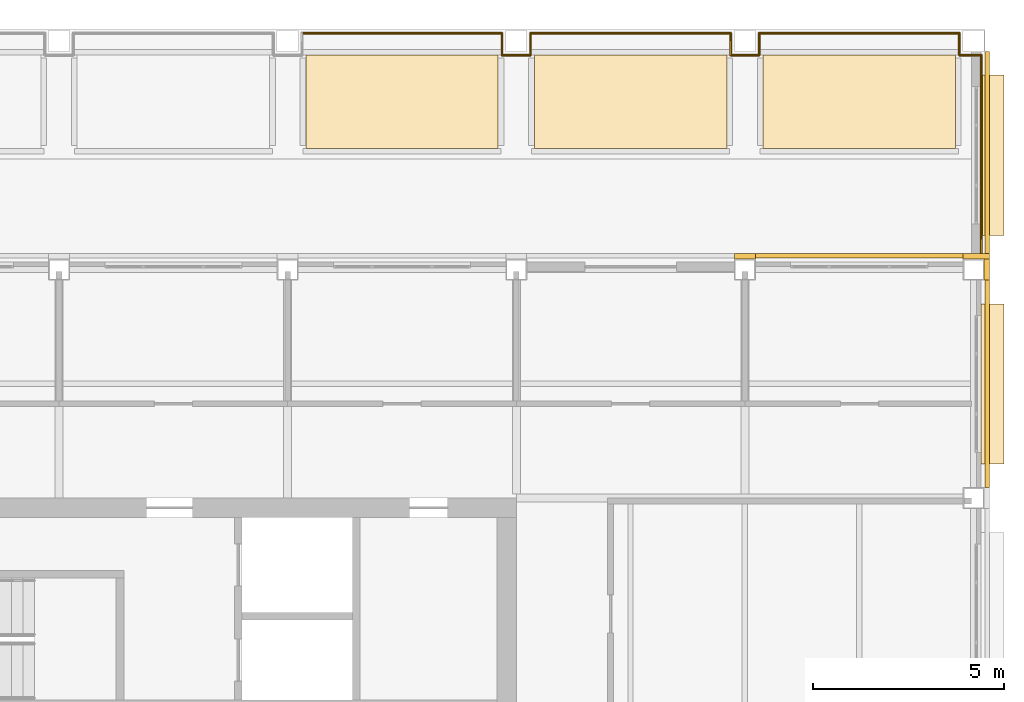
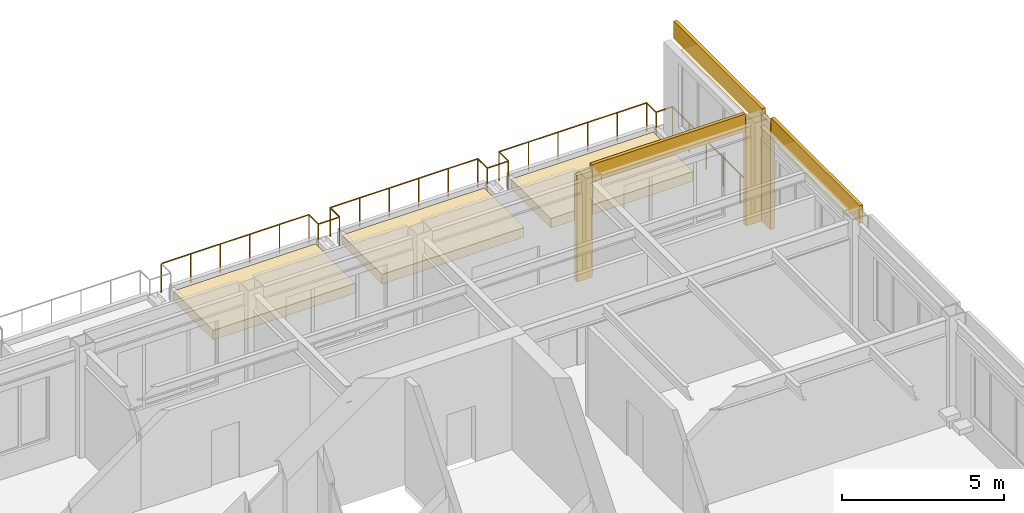
# One storey, part 37 of 39: 12 railings, 11 coverings.
"""IFC4 building model written with IfcOpenShell, lengths in metres."""

from ifc_helpers import new_model, si_unit, direction, frame, origin, origin_2d, place, context, subcontext, project, spatial, polyline, circle, outline, extrude, material, layer, layer_set, type_object, element, save


model = new_model("IFC4")

# Units and contexts
model_context = context("Model", 3, precision=1e-05, world=origin(), true_north=direction((0.0, 1.0)))
body_context = subcontext(model_context, "Body", "Model", "MODEL_VIEW")
ifc_project = project(units=[si_unit("LENGTHUNIT", "METRE"), si_unit("AREAUNIT", "SQUARE_METRE"), si_unit("VOLUMEUNIT", "CUBIC_METRE"), si_unit("PLANEANGLEUNIT", "RADIAN"), si_unit("MASSUNIT", "GRAM", prefix="KILO")], contexts=[model_context])

# Site, building, storey
site_placement = place(None, origin())
site = spatial("IfcSite", under=ifc_project, at=site_placement, CompositionType="ELEMENT")
building_placement = place(site_placement, origin())
building = spatial("IfcBuilding", under=site, at=building_placement, Name="Aravalli Gate Trade Fair Centre", CompositionType="ELEMENT")
storey_placement = place(building_placement, frame((0.0, 0.0, 15.0)))
storey = spatial("IfcBuildingStorey", under=building, at=storey_placement, Name="L03", CompositionType="ELEMENT", Elevation=15.0)

# Coverings
ifc_material_1 = material(Name="Terracotta", Category="masonry")
ifc_layer_1 = layer(ifc_material_1, 0.10009765625)
ifc_layer_set_1 = layer_set([ifc_layer_1], Name="Terracotta")
covering_type_1 = type_object("IfcCoveringType", Name="Wing chhajja hood 100", PredefinedType="MOLDING", material=ifc_layer_set_1)
covering_1_placement = place(storey_placement, frame((0.0, 0.0, 3.449951171875)))
element("IfcCovering", 1, at=covering_1_placement, inside=storey, type_object=covering_type_1, Name="Chhajja hood E5 L03", PredefinedType="MOLDING", context=body_context, shape_type="SweptSolid", body=[
    extrude(outline(polyline([(202.199951171875, 121.89990234375), (202.800048828125, 121.89990234375), (202.800048828125, 126.10009765625), (202.199951171875, 126.10009765625), (202.199951171875, 121.89990234375)])), origin(), (0.0, 0.0, 1.0), 0.10009765625),
])
covering_2_placement = place(storey_placement, frame((0.0, 0.0, 3.449951171875)))
element("IfcCovering", 2, at=covering_2_placement, inside=storey, type_object=covering_type_1, Name="Chhajja hood E6 L03", PredefinedType="MOLDING", context=body_context, shape_type="SweptSolid", body=[
    extrude(outline(polyline([(202.199951171875, 127.89990234375), (202.800048828125, 127.89990234375), (202.800048828125, 132.10009765625), (202.199951171875, 132.10009765625), (202.199951171875, 127.89990234375)])), origin(), (0.0, 0.0, 1.0), 0.10009765625),
])
ifc_material_2 = material(Name="Bituminous waterproofing membrane")
ifc_layer_2 = layer(ifc_material_2, 0.010009765625, Name="Waterproofing membrane")
ifc_material_3 = material(Name="Polyethylene drainage board")
ifc_layer_3 = layer(ifc_material_3, 0.050048828125, Name="Drainage layer")
ifc_material_4 = material(Name="Geotextile fleece")
ifc_layer_4 = layer(ifc_material_4, 0.0048828125, Name="Filter layer")
ifc_material_5 = material(Name="Growing medium")
ifc_layer_5 = layer(ifc_material_5, 0.300048828125, Name="Growing medium")
ifc_layer_set_2 = layer_set([ifc_layer_2, ifc_layer_3, ifc_layer_4, ifc_layer_5], Name="Wing green roof build-up 365")
covering_type_2 = type_object("IfcCoveringType", Name="Wing green roof build-up 365", PredefinedType="ROOFING", material=ifc_layer_set_2)
covering_3_placement = place(storey_placement, origin())
element("IfcCovering", 3, at=covering_3_placement, inside=storey, type_object=covering_type_2, Name="Terrace bed L03 5", PredefinedType="ROOFING", context=body_context, shape_type="SweptSolid", body=[
    extrude(outline(polyline([(184.47509765625, 130.179931640625), (189.52490234375, 130.179931640625), (189.52490234375, 132.6298828125), (184.47509765625, 132.6298828125), (184.47509765625, 130.179931640625)])), origin(), (0.0, 0.0, 1.0), 0.364990234375),
])
covering_4_placement = place(storey_placement, origin())
element("IfcCovering", 4, at=covering_4_placement, inside=storey, type_object=covering_type_2, Name="Terrace bed L03 6", PredefinedType="ROOFING", context=body_context, shape_type="SweptSolid", body=[
    extrude(outline(polyline([(190.47509765625, 130.179931640625), (195.52490234375, 130.179931640625), (195.52490234375, 132.6298828125), (190.47509765625, 132.6298828125), (190.47509765625, 130.179931640625)])), origin(), (0.0, 0.0, 1.0), 0.364990234375),
])
covering_5_placement = place(storey_placement, origin())
element("IfcCovering", 5, at=covering_5_placement, inside=storey, type_object=covering_type_2, Name="Terrace bed L03 7", PredefinedType="ROOFING", context=body_context, shape_type="SweptSolid", body=[
    extrude(outline(polyline([(196.47509765625, 130.179931640625), (201.52490234375, 130.179931640625), (201.52490234375, 132.6298828125), (196.47509765625, 132.6298828125), (196.47509765625, 130.179931640625)])), origin(), (0.0, 0.0, 1.0), 0.364990234375),
])
ifc_material_6 = material(Name="Glazed terracotta", Category="masonry")
ifc_layer_6 = layer(ifc_material_6, 0.14990234375)
ifc_layer_set_3 = layer_set([ifc_layer_6], Name="Glazed terracotta")
covering_type_3 = type_object("IfcCoveringType", Name="Wing pier casing 150", PredefinedType="CLADDING", material=ifc_layer_set_3)
covering_6_placement = place(storey_placement, origin())
element("IfcCovering", 6, at=covering_6_placement, inside=storey, type_object=covering_type_3, Name="Pier casing 25T4 N L03", PredefinedType="CLADDING", context=body_context, shape_type="SweptSolid", body=[
    extrude(outline(polyline([(201.72509765625, 127.27490234375), (202.425048828125, 127.27490234375), (202.425048828125, 127.425048828125), (201.72509765625, 127.425048828125), (201.72509765625, 127.27490234375)])), origin(), (0.0, 0.0, 1.0), 4.0),
])
covering_7_placement = place(storey_placement, origin())
element("IfcCovering", 7, at=covering_7_placement, inside=storey, type_object=covering_type_3, Name="Pier casing 25T4 E L03", PredefinedType="CLADDING", context=body_context, shape_type="SweptSolid", body=[
    extrude(outline(polyline([(202.27490234375, 126.72509765625), (202.425048828125, 126.72509765625), (202.425048828125, 127.27490234375), (202.27490234375, 127.27490234375), (202.27490234375, 126.72509765625)])), origin(), (0.0, 0.0, 1.0), 4.0),
])
covering_8_placement = place(storey_placement, origin())
element("IfcCovering", 8, at=covering_8_placement, inside=storey, type_object=covering_type_3, Name="Pier casing 24T4 N L03", PredefinedType="CLADDING", context=body_context, shape_type="SweptSolid", body=[
    extrude(outline(polyline([(195.72509765625, 127.27490234375), (196.27490234375, 127.27490234375), (196.27490234375, 127.425048828125), (195.72509765625, 127.425048828125), (195.72509765625, 127.27490234375)])), origin(), (0.0, 0.0, 1.0), 4.0),
])
ifc_layer_7 = layer(ifc_material_6, 0.1201171875)
ifc_layer_set_4 = layer_set([ifc_layer_7], Name="Glazed terracotta")
covering_type_4 = type_object("IfcCoveringType", Name="Wing spandrel band 120", PredefinedType="CLADDING", material=ifc_layer_set_4)
covering_9_placement = place(storey_placement, frame((0.0, 0.0, 3.550048828125)))
element("IfcCovering", 9, at=covering_9_placement, inside=storey, type_object=covering_type_4, Name="Spandrel band N6 L03", PredefinedType="CLADDING", context=body_context, shape_type="SweptSolid", body=[
    extrude(outline(polyline([(196.27490234375, 127.304931640625), (201.72509765625, 127.304931640625), (201.72509765625, 127.425048828125), (196.27490234375, 127.425048828125), (196.27490234375, 127.304931640625)])), origin(), (0.0, 0.0, 1.0), 0.64990234375),
])
covering_10_placement = place(storey_placement, frame((0.0, 0.0, 3.550048828125)))
element("IfcCovering", 10, at=covering_10_placement, inside=storey, type_object=covering_type_4, Name="Spandrel band E5 L03", PredefinedType="CLADDING", context=body_context, shape_type="SweptSolid", body=[
    extrude(outline(polyline([(202.304931640625, 121.27490234375), (202.425048828125, 121.27490234375), (202.425048828125, 126.72509765625), (202.304931640625, 126.72509765625), (202.304931640625, 121.27490234375)])), origin(), (0.0, 0.0, 1.0), 0.64990234375),
])
covering_11_placement = place(storey_placement, frame((0.0, 0.0, 3.550048828125)))
element("IfcCovering", 11, at=covering_11_placement, inside=storey, type_object=covering_type_4, Name="Spandrel band E6 L03", PredefinedType="CLADDING", context=body_context, shape_type="SweptSolid", body=[
    extrude(outline(polyline([(202.304931640625, 127.27490234375), (202.425048828125, 127.27490234375), (202.425048828125, 132.72509765625), (202.304931640625, 132.72509765625), (202.304931640625, 127.27490234375)])), origin(), (0.0, 0.0, 1.0), 0.64990234375),
])

# Railings
ifc_material_7 = material(Name="Steel E350", Category="steel")
railing_type = type_object("IfcRailingType", Name="Wing terrace guard", PredefinedType="GUARDRAIL", material=ifc_material_7)
railing_1_placement = place(storey_placement, frame((184.375, 133.205078125, 0.0)))
element("IfcRailing", 12, at=railing_1_placement, inside=storey, type_object=railing_type, Name="Terrace guard L03 18", PredefinedType="GUARDRAIL", context=body_context, shape_type="SweptSolid", body=[
    extrude(circle(Radius=0.02392578125, at=origin_2d()), frame((0.0, 0.0, 1.076171875), z_axis=(1.0, 0.0, 0.0), x_axis=(0.0, 1.0, 0.0)), (0.0, 0.0, 1.0), 5.25),
    extrude(circle(Radius=0.02099609375, at=origin_2d()), origin(), (0.0, 0.0, 1.0), 1.052001953125),
    extrude(circle(Radius=0.02099609375, at=origin_2d()), frame((1.050048828125, 0.0, 0.0)), (0.0, 0.0, 1.0), 1.052001953125),
    extrude(circle(Radius=0.02099609375, at=origin_2d()), frame((2.10009765625, 0.0, 0.0)), (0.0, 0.0, 1.0), 1.052001953125),
    extrude(circle(Radius=0.02099609375, at=origin_2d()), frame((3.14990234375, 0.0, 0.0)), (0.0, 0.0, 1.0), 1.052001953125),
    extrude(circle(Radius=0.02099609375, at=origin_2d()), frame((4.199951171875, 0.0, 0.0)), (0.0, 0.0, 1.0), 1.052001953125),
    extrude(circle(Radius=0.02099609375, at=origin_2d()), frame((5.25, 0.0, 0.0)), (0.0, 0.0, 1.0), 1.052001953125),
])
railing_2_placement = place(storey_placement, frame((189.625, 133.205078125, 0.0)))
element("IfcRailing", 13, at=railing_2_placement, inside=storey, type_object=railing_type, Name="Terrace guard L03 19", PredefinedType="GUARDRAIL", context=body_context, shape_type="SweptSolid", body=[
    extrude(circle(Radius=0.02392578125, at=origin_2d()), frame((0.0, 0.0, 1.076171875), z_axis=(0.0, -1.0, 0.0), x_axis=(1.0, 0.0, 0.0)), (0.0, 0.0, 1.0), 0.580078125),
    extrude(circle(Radius=0.02099609375, at=origin_2d()), origin(), (0.0, 0.0, 1.0), 1.052001953125),
    extrude(circle(Radius=0.02099609375, at=origin_2d()), frame((0.0, -0.580078125, 0.0)), (0.0, 0.0, 1.0), 1.052001953125),
])
railing_3_placement = place(storey_placement, frame((189.625, 132.625, 0.0)))
element("IfcRailing", 14, at=railing_3_placement, inside=storey, type_object=railing_type, Name="Terrace guard L03 20", PredefinedType="GUARDRAIL", context=body_context, shape_type="SweptSolid", body=[
    extrude(circle(Radius=0.02392578125, at=origin_2d()), frame((0.0, 0.0, 1.076171875), z_axis=(1.0, 0.0, 0.0), x_axis=(0.0, 1.0, 0.0)), (0.0, 0.0, 1.0), 0.75),
    extrude(circle(Radius=0.02099609375, at=origin_2d()), origin(), (0.0, 0.0, 1.0), 1.052001953125),
    extrude(circle(Radius=0.02099609375, at=origin_2d()), frame((0.75, 0.0, 0.0)), (0.0, 0.0, 1.0), 1.052001953125),
])
railing_4_placement = place(storey_placement, frame((190.375, 132.625, 0.0)))
element("IfcRailing", 15, at=railing_4_placement, inside=storey, type_object=railing_type, Name="Terrace guard L03 21", PredefinedType="GUARDRAIL", context=body_context, shape_type="SweptSolid", body=[
    extrude(circle(Radius=0.02392578125, at=origin_2d()), frame((0.0, 0.0, 1.076171875), z_axis=(0.0, 1.0, 0.0), x_axis=(-1.0, 0.0, 0.0)), (0.0, 0.0, 1.0), 0.580078125),
    extrude(circle(Radius=0.02099609375, at=origin_2d()), origin(), (0.0, 0.0, 1.0), 1.052001953125),
    extrude(circle(Radius=0.02099609375, at=origin_2d()), frame((0.0, 0.580078125, 0.0)), (0.0, 0.0, 1.0), 1.052001953125),
])
railing_5_placement = place(storey_placement, frame((190.375, 133.205078125, 0.0)))
element("IfcRailing", 16, at=railing_5_placement, inside=storey, type_object=railing_type, Name="Terrace guard L03 22", PredefinedType="GUARDRAIL", context=body_context, shape_type="SweptSolid", body=[
    extrude(circle(Radius=0.02392578125, at=origin_2d()), frame((0.0, 0.0, 1.076171875), z_axis=(1.0, 0.0, 0.0), x_axis=(0.0, 1.0, 0.0)), (0.0, 0.0, 1.0), 5.25),
    extrude(circle(Radius=0.02099609375, at=origin_2d()), origin(), (0.0, 0.0, 1.0), 1.052001953125),
    extrude(circle(Radius=0.02099609375, at=origin_2d()), frame((1.050048828125, 0.0, 0.0)), (0.0, 0.0, 1.0), 1.052001953125),
    extrude(circle(Radius=0.02099609375, at=origin_2d()), frame((2.10009765625, 0.0, 0.0)), (0.0, 0.0, 1.0), 1.052001953125),
    extrude(circle(Radius=0.02099609375, at=origin_2d()), frame((3.14990234375, 0.0, 0.0)), (0.0, 0.0, 1.0), 1.052001953125),
    extrude(circle(Radius=0.02099609375, at=origin_2d()), frame((4.199951171875, 0.0, 0.0)), (0.0, 0.0, 1.0), 1.052001953125),
    extrude(circle(Radius=0.02099609375, at=origin_2d()), frame((5.25, 0.0, 0.0)), (0.0, 0.0, 1.0), 1.052001953125),
])
railing_6_placement = place(storey_placement, frame((195.625, 133.205078125, 0.0)))
element("IfcRailing", 17, at=railing_6_placement, inside=storey, type_object=railing_type, Name="Terrace guard L03 23", PredefinedType="GUARDRAIL", context=body_context, shape_type="SweptSolid", body=[
    extrude(circle(Radius=0.02392578125, at=origin_2d()), frame((0.0, 0.0, 1.076171875), z_axis=(0.0, -1.0, 0.0), x_axis=(1.0, 0.0, 0.0)), (0.0, 0.0, 1.0), 0.580078125),
    extrude(circle(Radius=0.02099609375, at=origin_2d()), origin(), (0.0, 0.0, 1.0), 1.052001953125),
    extrude(circle(Radius=0.02099609375, at=origin_2d()), frame((0.0, -0.580078125, 0.0)), (0.0, 0.0, 1.0), 1.052001953125),
])
railing_7_placement = place(storey_placement, frame((195.625, 132.625, 0.0)))
element("IfcRailing", 18, at=railing_7_placement, inside=storey, type_object=railing_type, Name="Terrace guard L03 24", PredefinedType="GUARDRAIL", context=body_context, shape_type="SweptSolid", body=[
    extrude(circle(Radius=0.02392578125, at=origin_2d()), frame((0.0, 0.0, 1.076171875), z_axis=(1.0, 0.0, 0.0), x_axis=(0.0, 1.0, 0.0)), (0.0, 0.0, 1.0), 0.75),
    extrude(circle(Radius=0.02099609375, at=origin_2d()), origin(), (0.0, 0.0, 1.0), 1.052001953125),
    extrude(circle(Radius=0.02099609375, at=origin_2d()), frame((0.75, 0.0, 0.0)), (0.0, 0.0, 1.0), 1.052001953125),
])
railing_8_placement = place(storey_placement, frame((196.375, 132.625, 0.0)))
element("IfcRailing", 19, at=railing_8_placement, inside=storey, type_object=railing_type, Name="Terrace guard L03 25", PredefinedType="GUARDRAIL", context=body_context, shape_type="SweptSolid", body=[
    extrude(circle(Radius=0.02392578125, at=origin_2d()), frame((0.0, 0.0, 1.076171875), z_axis=(0.0, 1.0, 0.0), x_axis=(-1.0, 0.0, 0.0)), (0.0, 0.0, 1.0), 0.580078125),
    extrude(circle(Radius=0.02099609375, at=origin_2d()), origin(), (0.0, 0.0, 1.0), 1.052001953125),
    extrude(circle(Radius=0.02099609375, at=origin_2d()), frame((0.0, 0.580078125, 0.0)), (0.0, 0.0, 1.0), 1.052001953125),
])
railing_9_placement = place(storey_placement, frame((196.375, 133.205078125, 0.0)))
element("IfcRailing", 20, at=railing_9_placement, inside=storey, type_object=railing_type, Name="Terrace guard L03 26", PredefinedType="GUARDRAIL", context=body_context, shape_type="SweptSolid", body=[
    extrude(circle(Radius=0.02392578125, at=origin_2d()), frame((0.0, 0.0, 1.076171875), z_axis=(1.0, 0.0, 0.0), x_axis=(0.0, 1.0, 0.0)), (0.0, 0.0, 1.0), 5.25),
    extrude(circle(Radius=0.02099609375, at=origin_2d()), origin(), (0.0, 0.0, 1.0), 1.052001953125),
    extrude(circle(Radius=0.02099609375, at=origin_2d()), frame((1.050048828125, 0.0, 0.0)), (0.0, 0.0, 1.0), 1.052001953125),
    extrude(circle(Radius=0.02099609375, at=origin_2d()), frame((2.10009765625, 0.0, 0.0)), (0.0, 0.0, 1.0), 1.052001953125),
    extrude(circle(Radius=0.02099609375, at=origin_2d()), frame((3.14990234375, 0.0, 0.0)), (0.0, 0.0, 1.0), 1.052001953125),
    extrude(circle(Radius=0.02099609375, at=origin_2d()), frame((4.199951171875, 0.0, 0.0)), (0.0, 0.0, 1.0), 1.052001953125),
    extrude(circle(Radius=0.02099609375, at=origin_2d()), frame((5.25, 0.0, 0.0)), (0.0, 0.0, 1.0), 1.052001953125),
])
railing_10_placement = place(storey_placement, frame((201.625, 133.205078125, 0.0)))
element("IfcRailing", 21, at=railing_10_placement, inside=storey, type_object=railing_type, Name="Terrace guard L03 27", PredefinedType="GUARDRAIL", context=body_context, shape_type="SweptSolid", body=[
    extrude(circle(Radius=0.02392578125, at=origin_2d()), frame((0.0, 0.0, 1.076171875), z_axis=(0.0, -1.0, 0.0), x_axis=(1.0, 0.0, 0.0)), (0.0, 0.0, 1.0), 0.580078125),
    extrude(circle(Radius=0.02099609375, at=origin_2d()), origin(), (0.0, 0.0, 1.0), 1.052001953125),
    extrude(circle(Radius=0.02099609375, at=origin_2d()), frame((0.0, -0.580078125, 0.0)), (0.0, 0.0, 1.0), 1.052001953125),
])
railing_11_placement = place(storey_placement, frame((201.625, 132.625, 0.0)))
element("IfcRailing", 22, at=railing_11_placement, inside=storey, type_object=railing_type, Name="Terrace guard L03 28", PredefinedType="GUARDRAIL", context=body_context, shape_type="SweptSolid", body=[
    extrude(circle(Radius=0.02392578125, at=origin_2d()), frame((0.0, 0.0, 1.076171875), z_axis=(1.0, 0.0, 0.0), x_axis=(0.0, 1.0, 0.0)), (0.0, 0.0, 1.0), 0.580078125),
    extrude(circle(Radius=0.02099609375, at=origin_2d()), origin(), (0.0, 0.0, 1.0), 1.052001953125),
    extrude(circle(Radius=0.02099609375, at=origin_2d()), frame((0.580078125, 0.0, 0.0)), (0.0, 0.0, 1.0), 1.052001953125),
])
railing_12_placement = place(storey_placement, frame((202.205078125, 132.625, 0.0)))
element("IfcRailing", 23, at=railing_12_placement, inside=storey, type_object=railing_type, Name="Terrace guard L03 29", PredefinedType="GUARDRAIL", context=body_context, shape_type="SweptSolid", body=[
    extrude(circle(Radius=0.02392578125, at=origin_2d()), frame((0.0, 0.0, 1.076171875), z_axis=(0.0, -1.0, 0.0), x_axis=(1.0, 0.0, 0.0)), (0.0, 0.0, 1.0), 5.219970703125),
    extrude(circle(Radius=0.02099609375, at=origin_2d()), origin(), (0.0, 0.0, 1.0), 1.052001953125),
    extrude(circle(Radius=0.02099609375, at=origin_2d()), frame((0.0, -1.0439453125, 0.0)), (0.0, 0.0, 1.0), 1.052001953125),
    extrude(circle(Radius=0.02099609375, at=origin_2d()), frame((0.0, -2.087890625, 0.0)), (0.0, 0.0, 1.0), 1.052001953125),
    extrude(circle(Radius=0.02099609375, at=origin_2d()), frame((0.0, -3.132080078125, 0.0)), (0.0, 0.0, 1.0), 1.052001953125),
    extrude(circle(Radius=0.02099609375, at=origin_2d()), frame((0.0, -4.176025390625, 0.0)), (0.0, 0.0, 1.0), 1.052001953125),
    extrude(circle(Radius=0.02099609375, at=origin_2d()), frame((0.0, -5.219970703125, 0.0)), (0.0, 0.0, 1.0), 1.052001953125),
])

save(model, "model.ifc")
